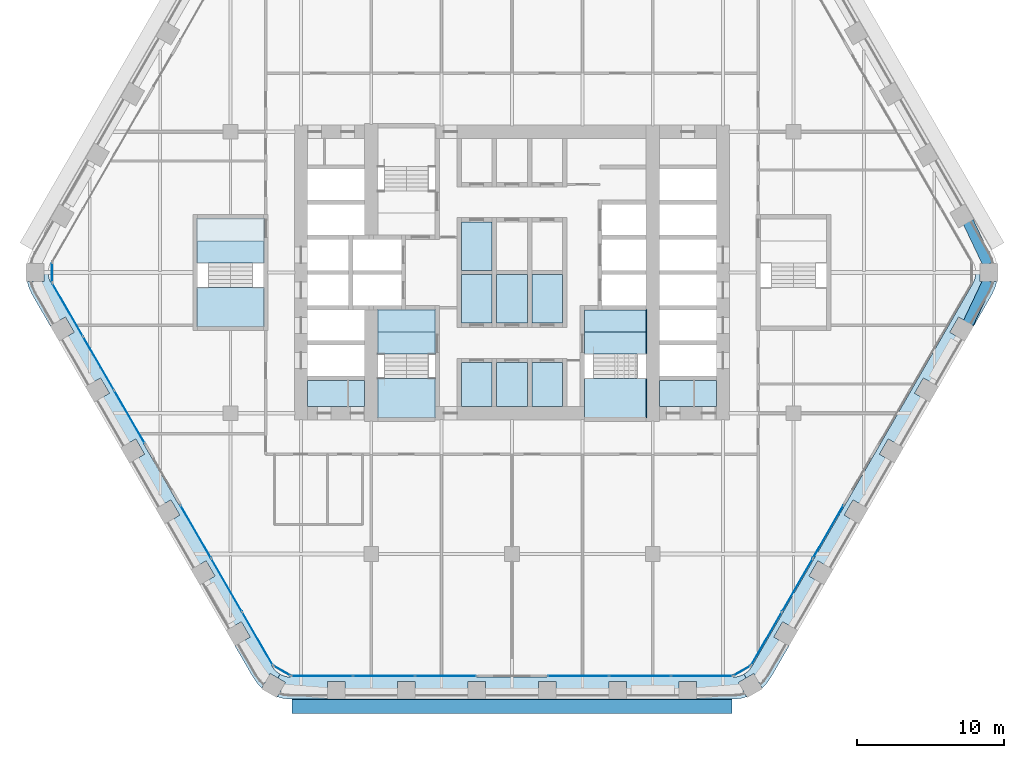
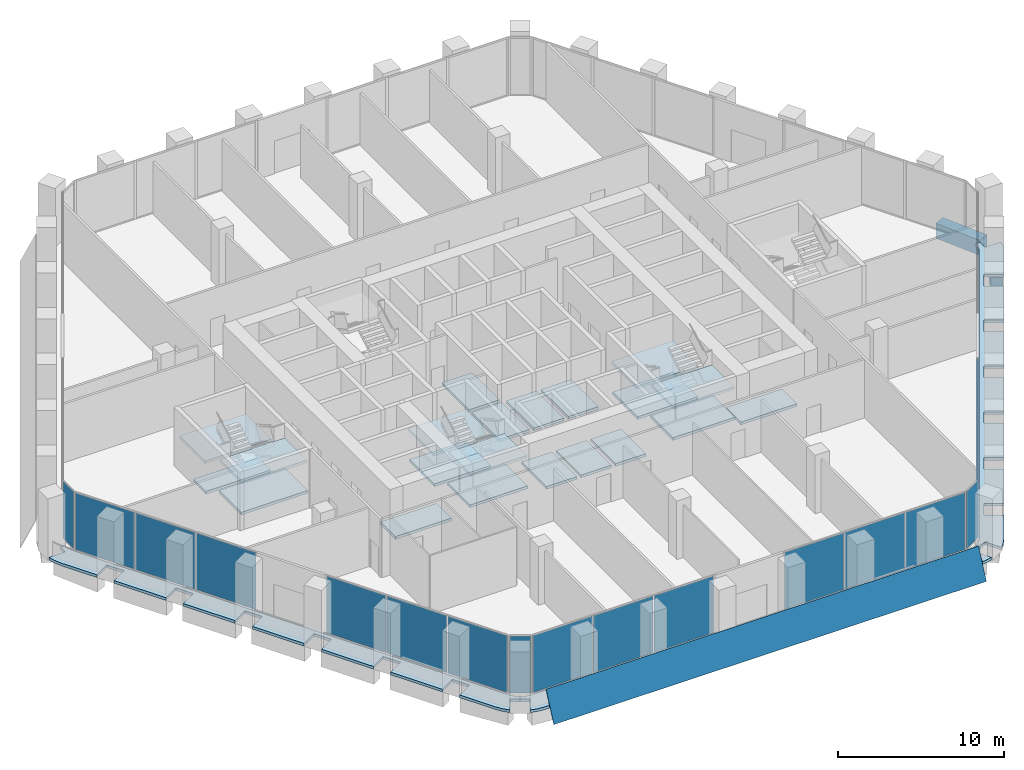
# One storey, part 10 of 22: 26 slabs, 19 plates, 2 beams, 11 elements without a shape of their own.
"""IFC4 building model written with IfcOpenShell, lengths in metres."""

from ifc_helpers import new_model, si_unit, direction, frame, origin, origin_2d, place, context, subcontext, project, spatial, polyline, rectangle, outline, extrude, material, layer, layer_set, material_profile, profile_set, type_object, element, aggregate, save


model = new_model("IFC4")

# Units and contexts
model_context = context("Model", 3, precision=1e-05, world=origin(), true_north=direction((0.0, 1.0)))
body_context = subcontext(model_context, "Body", "Model", "MODEL_VIEW")
ifc_project = project(units=[si_unit("LENGTHUNIT", "METRE"), si_unit("AREAUNIT", "SQUARE_METRE"), si_unit("VOLUMEUNIT", "CUBIC_METRE"), si_unit("PLANEANGLEUNIT", "RADIAN"), si_unit("MASSUNIT", "GRAM", prefix="KILO")], contexts=[model_context])

# Site, building, storey
site_placement = place(None, origin())
site = spatial("IfcSite", under=ifc_project, at=site_placement, CompositionType="ELEMENT")
building_placement = place(site_placement, origin())
building = spatial("IfcBuilding", under=site, at=building_placement, Name="Kolab Exchange Tower", CompositionType="ELEMENT")
storey_placement = place(building_placement, frame((0.0, 0.0, 113.89990234375)))
storey = spatial("IfcBuildingStorey", under=building, at=storey_placement, Name="L22", CompositionType="ELEMENT", Elevation=113.89990234375)

# Beams
ifc_material_1 = material(Name="Concrete C70/85", Category="concrete")
ifc_material_profile = material_profile(ifc_material_1, rectangle(XDim=0.75, YDim=1.10009765625, at=origin_2d()), Name="RC750X1100")
ifc_profile_set = profile_set([ifc_material_profile], Name="Concrete C70/85")
beam_type = type_object("IfcBeamType", Name="SPANDREL BEAM 750X1100 C70/85", PredefinedType="BEAM", material=ifc_profile_set)
for number, where, z_axis, x_axis, name in (
    (1, (31.116455078125, 3.4619140625, -0.75), (0.429041292193, -0.903284877319, 0.0), (0.903284877319, 0.429041292193, 0.0), "beam/L22/sp/F2-07"),
    (2, (32.492919921875, -0.56396484375, -0.75), (-0.429041292193, -0.903284877319, 0.0), (0.903284877319, -0.429041292193, 0.0), "beam/L22/sp/F3-01"),
):
    element("IfcBeam", number, at=place(storey_placement, frame(where, z_axis=z_axis, x_axis=x_axis)), inside=storey, type_object=beam_type, Name=name, PredefinedType="BEAM", context=body_context, shape_type="SweptSolid", body=[
        extrude(rectangle(XDim=0.75, YDim=1.10009765625, at=origin_2d()), origin(), (0.0, 0.0, 1.0), 3.208251953125),
    ])

# Slabs
ifc_material_2 = material(Name="Concrete C35/45", Category="concrete")
ifc_layer_1 = layer(ifc_material_2, 0.199951171875)
ifc_layer_set_1 = layer_set([ifc_layer_1], Name="Concrete C35/45")
slab_type_1 = type_object("IfcSlabType", Name="FLOOR SLAB 200", PredefinedType="FLOOR", material=ifc_layer_set_1)
slab_1_placement = place(storey_placement, frame((0.0, 0.0, -0.199951171875)))
element("IfcSlab", 3, at=slab_1_placement, inside=storey, type_object=slab_type_1, Name="slab/L22/floor/2", PredefinedType="FLOOR", context=body_context, shape_type="SweptSolid", body=[
    extrude(outline(polyline([(-10.050048828125, -9.14990234375), (-10.050048828125, -7.35009765625), (-13.949951171875, -7.35009765625), (-13.949951171875, -9.14990234375), (-10.050048828125, -9.14990234375)])), origin(), (0.0, 0.0, 1.0), 0.199951171875),
])
slab_2_placement = place(storey_placement, frame((0.0, 0.0, -0.199951171875)))
element("IfcSlab", 4, at=slab_2_placement, inside=storey, type_object=slab_type_1, Name="slab/L22/floor/4", PredefinedType="FLOOR", context=body_context, shape_type="SweptSolid", body=[
    extrude(outline(polyline([(10.050048828125, -9.14990234375), (13.949951171875, -9.14990234375), (13.949951171875, -7.35009765625), (10.050048828125, -7.35009765625), (10.050048828125, -9.14990234375)])), origin(), (0.0, 0.0, 1.0), 0.199951171875),
])
slab_3_placement = place(storey_placement, frame((0.0, 0.0, -0.199951171875)))
element("IfcSlab", 5, at=slab_3_placement, inside=storey, type_object=slab_type_1, Name="slab/L22/floor/6", PredefinedType="FLOOR", context=body_context, shape_type="SweptSolid", body=[
    extrude(outline(polyline([(-1.35009765625, -3.449951171875), (-1.35009765625, -0.14990234375), (-3.449951171875, -0.14990234375), (-3.449951171875, -3.449951171875), (-1.35009765625, -3.449951171875)])), origin(), (0.0, 0.0, 1.0), 0.199951171875),
])
slab_4_placement = place(storey_placement, frame((0.0, 0.0, -0.199951171875)))
element("IfcSlab", 6, at=slab_4_placement, inside=storey, type_object=slab_type_1, Name="slab/L22/floor/7", PredefinedType="FLOOR", context=body_context, shape_type="SweptSolid", body=[
    extrude(outline(polyline([(-1.35009765625, 0.14990234375), (-1.35009765625, 3.449951171875), (-3.449951171875, 3.449951171875), (-3.449951171875, 0.14990234375), (-1.35009765625, 0.14990234375)])), origin(), (0.0, 0.0, 1.0), 0.199951171875),
])
slab_5_placement = place(storey_placement, frame((0.0, 0.0, -0.199951171875)))
element("IfcSlab", 7, at=slab_5_placement, inside=storey, type_object=slab_type_1, Name="slab/L22/floor/8", PredefinedType="FLOOR", context=body_context, shape_type="SweptSolid", body=[
    extrude(outline(polyline([(-1.050048828125, -0.14990234375), (-1.050048828125, -3.449951171875), (1.050048828125, -3.449951171875), (1.050048828125, -0.14990234375), (-1.050048828125, -0.14990234375)])), origin(), (0.0, 0.0, 1.0), 0.199951171875),
])
slab_6_placement = place(storey_placement, frame((0.0, 0.0, -0.199951171875)))
element("IfcSlab", 8, at=slab_6_placement, inside=storey, type_object=slab_type_1, Name="slab/L22/floor/10", PredefinedType="FLOOR", context=body_context, shape_type="SweptSolid", body=[
    extrude(outline(polyline([(1.35009765625, -3.449951171875), (3.449951171875, -3.449951171875), (3.449951171875, -0.14990234375), (1.35009765625, -0.14990234375), (1.35009765625, -3.449951171875)])), origin(), (0.0, 0.0, 1.0), 0.199951171875),
])
slab_7_placement = place(storey_placement, frame((0.0, 0.0, -0.199951171875)))
element("IfcSlab", 9, at=slab_7_placement, inside=storey, type_object=slab_type_1, Name="slab/L22/floor/14", PredefinedType="FLOOR", context=body_context, shape_type="SweptSolid", body=[
    extrude(outline(polyline([(-1.35009765625, -6.14990234375), (-3.449951171875, -6.14990234375), (-3.449951171875, -9.14990234375), (-1.35009765625, -9.14990234375), (-1.35009765625, -6.14990234375)])), origin(), (0.0, 0.0, 1.0), 0.199951171875),
])
slab_8_placement = place(storey_placement, frame((0.0, 0.0, -0.199951171875)))
element("IfcSlab", 10, at=slab_8_placement, inside=storey, type_object=slab_type_1, Name="slab/L22/floor/16", PredefinedType="FLOOR", context=body_context, shape_type="SweptSolid", body=[
    extrude(outline(polyline([(1.050048828125, -6.14990234375), (-1.050048828125, -6.14990234375), (-1.050048828125, -9.14990234375), (1.050048828125, -9.14990234375), (1.050048828125, -6.14990234375)])), origin(), (0.0, 0.0, 1.0), 0.199951171875),
])
slab_9_placement = place(storey_placement, frame((0.0, 0.0, -0.199951171875)))
element("IfcSlab", 11, at=slab_9_placement, inside=storey, type_object=slab_type_1, Name="slab/L22/floor/18", PredefinedType="FLOOR", context=body_context, shape_type="SweptSolid", body=[
    extrude(outline(polyline([(1.35009765625, -6.14990234375), (1.35009765625, -9.14990234375), (3.449951171875, -9.14990234375), (3.449951171875, -6.14990234375), (1.35009765625, -6.14990234375)])), origin(), (0.0, 0.0, 1.0), 0.199951171875),
])
slab_10_placement = place(storey_placement, frame((0.0, 0.0, -0.199951171875)))
element("IfcSlab", 12, at=slab_10_placement, inside=storey, type_object=slab_type_1, Name="slab/L22/floor/20", PredefinedType="FLOOR", context=body_context, shape_type="SweptSolid", body=[
    extrude(outline(polyline([(4.949951171875, -4.050048828125), (9.14990234375, -4.050048828125), (9.14990234375, -2.550048828125), (6.14990234375, -2.550048828125), (5.85009765625, -2.550048828125), (4.949951171875, -2.550048828125), (4.949951171875, -4.050048828125)])), origin(), (0.0, 0.0, 1.0), 0.199951171875),
])
slab_11_placement = place(storey_placement, frame((0.0, 0.0, -0.199951171875)))
element("IfcSlab", 13, at=slab_11_placement, inside=storey, type_object=slab_type_1, Name="slab/L22/floor/21", PredefinedType="FLOOR", context=body_context, shape_type="SweptSolid", body=[
    extrude(outline(polyline([(-9.14990234375, -2.550048828125), (-9.14990234375, -4.050048828125), (-5.25, -4.050048828125), (-5.25, -2.550048828125), (-7.25, -2.550048828125), (-7.550048828125, -2.550048828125), (-9.14990234375, -2.550048828125)])), origin(), (0.0, 0.0, 1.0), 0.199951171875),
])
ifc_layer_2 = layer(ifc_material_2, 0.199951171875)
ifc_layer_set_2 = layer_set([ifc_layer_2], Name="Concrete C35/45")
slab_type_2 = type_object("IfcSlabType", Name="LOGGIA SLAB 200", PredefinedType="FLOOR", material=ifc_layer_set_2)
slab_12_placement = place(storey_placement, frame((0.0, 0.0, -0.199951171875)))
element("IfcSlab", 14, at=slab_12_placement, inside=storey, type_object=slab_type_2, Name="slab/L22/loggia/2-0", PredefinedType="FLOOR", context=body_context, shape_type="SweptSolid", body=[
    extrude(outline(polyline([(17.666015625, -27.598388671875), (18.89990234375, -25.461181640625), (17.86083984375, -24.861083984375), (18.460693359375, -23.822021484375), (19.5, -24.421875), (21.300048828125, -21.30419921875), (20.2607421875, -20.704345703125), (20.86083984375, -19.6650390625), (21.89990234375, -20.264892578125), (23.699951171875, -17.147216796875), (22.660888671875, -16.54736328125), (23.2607421875, -15.508056640625), (24.300048828125, -16.108154296875), (26.10009765625, -12.990478515625), (25.060791015625, -12.390380859375), (25.660888671875, -11.35107421875), (26.699951171875, -11.951171875), (28.5, -8.83349609375), (27.460693359375, -8.2333984375), (28.060791015625, -7.1943359375), (29.10009765625, -7.794189453125), (30.89990234375, -4.676513671875), (29.86083984375, -4.076416015625), (30.460693359375, -3.037353515625), (31.5, -3.63720703125), (32.73388671875, -1.5), (32.955078125, -1.026123046875), (33.069091796875, -0.60009765625), (31.935791015625, -0.60009765625), (31.935791015625, 0.0), (31.635986328125, 0.0), (31.613037109375, -0.260498046875), (31.54541015625, -0.512939453125), (31.434814453125, -0.75), (16.366943359375, -26.848388671875), (16.217041015625, -27.062744140625), (16.0322265625, -27.24755859375), (15.81787109375, -27.3974609375), (15.968017578125, -27.6572265625), (16.487548828125, -27.357177734375), (17.05419921875, -28.338623046875), (17.365966796875, -28.02685546875), (17.666015625, -27.598388671875)])), origin(), (0.0, 0.0, 1.0), 0.199951171875),
])
slab_13_placement = place(storey_placement, frame((0.0, 0.0, -0.199951171875)))
element("IfcSlab", 15, at=slab_13_placement, inside=storey, type_object=slab_type_2, Name="slab/L22/loggia/3-0", PredefinedType="FLOOR", context=body_context, shape_type="SweptSolid", body=[
    extrude(outline(polyline([(-15.81787109375, -27.3974609375), (-15.968017578125, -27.6572265625), (-15.4482421875, -27.957275390625), (-16.014892578125, -28.938720703125), (-15.5888671875, -29.052978515625), (-15.06787109375, -29.098388671875), (-12.60009765625, -29.098388671875), (-12.60009765625, -27.8984375), (-11.39990234375, -27.8984375), (-11.39990234375, -29.098388671875), (-7.800048828125, -29.098388671875), (-7.800048828125, -27.8984375), (-6.60009765625, -27.8984375), (-6.60009765625, -29.098388671875), (-3.0, -29.098388671875), (-3.0, -27.8984375), (-1.800048828125, -27.8984375), (-1.800048828125, -29.098388671875), (1.800048828125, -29.098388671875), (1.800048828125, -27.8984375), (3.0, -27.8984375), (3.0, -29.098388671875), (6.60009765625, -29.098388671875), (6.60009765625, -27.8984375), (7.800048828125, -27.8984375), (7.800048828125, -29.098388671875), (11.39990234375, -29.098388671875), (11.39990234375, -27.8984375), (12.60009765625, -27.8984375), (12.60009765625, -29.098388671875), (15.06787109375, -29.098388671875), (15.5888671875, -29.052978515625), (16.014892578125, -28.938720703125), (15.4482421875, -27.957275390625), (15.968017578125, -27.6572265625), (15.81787109375, -27.3974609375), (15.5810546875, -27.508056640625), (15.328369140625, -27.57568359375), (15.06787109375, -27.598388671875), (-15.06787109375, -27.598388671875), (-15.328369140625, -27.57568359375), (-15.5810546875, -27.508056640625), (-15.81787109375, -27.3974609375)])), origin(), (0.0, 0.0, 1.0), 0.199951171875),
])
slab_14_placement = place(storey_placement, frame((0.0, 0.0, -0.199951171875)))
element("IfcSlab", 16, at=slab_14_placement, inside=storey, type_object=slab_type_2, Name="slab/L22/loggia/4-0", PredefinedType="FLOOR", context=body_context, shape_type="SweptSolid", body=[
    extrude(outline(polyline([(-31.635986328125, 0.0), (-31.935791015625, 0.0), (-31.935791015625, -0.60009765625), (-33.069091796875, -0.60009765625), (-32.955078125, -1.026123046875), (-32.73388671875, -1.5), (-31.5, -3.63720703125), (-30.460693359375, -3.037353515625), (-29.86083984375, -4.076416015625), (-30.89990234375, -4.676513671875), (-29.10009765625, -7.794189453125), (-28.060791015625, -7.1943359375), (-27.460693359375, -8.2333984375), (-28.5, -8.83349609375), (-26.699951171875, -11.951171875), (-25.660888671875, -11.35107421875), (-25.060791015625, -12.390380859375), (-26.10009765625, -12.990478515625), (-24.300048828125, -16.108154296875), (-23.2607421875, -15.508056640625), (-22.660888671875, -16.54736328125), (-23.699951171875, -17.147216796875), (-21.89990234375, -20.264892578125), (-20.86083984375, -19.6650390625), (-20.2607421875, -20.704345703125), (-21.300048828125, -21.30419921875), (-19.5, -24.421875), (-18.460693359375, -23.822021484375), (-17.86083984375, -24.861083984375), (-18.89990234375, -25.461181640625), (-17.666015625, -27.598388671875), (-17.365966796875, -28.02685546875), (-17.05419921875, -28.338623046875), (-16.487548828125, -27.357177734375), (-15.968017578125, -27.6572265625), (-15.81787109375, -27.3974609375), (-16.0322265625, -27.24755859375), (-16.217041015625, -27.062744140625), (-16.366943359375, -26.848388671875), (-31.434814453125, -0.75), (-31.54541015625, -0.512939453125), (-31.613037109375, -0.260498046875), (-31.635986328125, 0.0)])), origin(), (0.0, 0.0, 1.0), 0.199951171875),
])

# Plate
ifc_material_3 = material(Name="Laminated glass, clear", Category="glass")
ifc_layer_3 = layer(ifc_material_3, 0.0400390625)
ifc_layer_set_3 = layer_set([ifc_layer_3], Name="Laminated glass, clear")
plate_type_1 = type_object("IfcPlateType", Name="OUTER SKIN LAMINATED GLASS SHEET 40", PredefinedType="SHEET", material=ifc_layer_set_3)
plate_1_placement = place(storey_placement, frame((15.01806640625, -30.078857421875, -0.73291015625), z_axis=(0.0, -0.906331045159, 0.422568380954), x_axis=(-1.0, 0.0, 0.0)))
element("IfcPlate", 17, at=plate_1_placement, inside=storey, type_object=plate_type_1, Name="Outer skin", PredefinedType="SHEET", context=body_context, shape_type="SweptSolid", body=[
    extrude(outline(polyline([(0.0, 0.0), (30.0361328125, 0.0), (30.0361328125, -2.2341751996320496), (0.0, -2.2341751996320496), (0.0, 0.0)])), origin(), (0.0, 0.0, -1.0), 0.0400390625),
])

# Stair, slabs
ifc_material_4 = material(Name="Concrete C50/60", Category="concrete")
stair_type_1 = type_object("IfcStairType", Name="STAIR ST3 RISER 160.7", PredefinedType="DOUBLE_RETURN_STAIR", material=ifc_material_4)
stair_1_placement = place(storey_placement, origin())
stair_1 = element("IfcStair", 18, at=stair_1_placement, inside=storey, type_object=stair_type_1, Name="Stair 3", PredefinedType="DOUBLE_RETURN_STAIR")
ifc_layer_4 = layer(ifc_material_4, 0.199951171875)
ifc_layer_set_4 = layer_set([ifc_layer_4], Name="Concrete C50/60")
slab_type_3 = type_object("IfcSlabType", Name="STAIR LANDING 200", PredefinedType="LANDING", material=ifc_layer_set_4)
slab_15_placement = place(storey_placement, frame((0.0, 0.0, -0.199951171875)))
slab_15 = element("IfcSlab", 19, at=slab_15_placement, type_object=slab_type_3, Name="ST3 landing 1", PredefinedType="LANDING", context=body_context, shape_type="SweptSolid", body=[
    extrude(outline(polyline([(-9.14990234375, -5.550048828125), (-5.25, -5.550048828125), (-5.25, -4.050048828125), (-9.14990234375, -4.050048828125), (-9.14990234375, -5.550048828125)])), origin(), (0.0, 0.0, 1.0), 0.199951171875),
])
slab_16_placement = place(storey_placement, frame((0.0, 0.0, 0.925048828125)))
slab_16 = element("IfcSlab", 20, at=slab_16_placement, type_object=slab_type_3, Name="ST3 landing 2", PredefinedType="LANDING", context=body_context, shape_type="SweptSolid", body=[
    extrude(outline(polyline([(-9.2099609375, -9.909912109375), (-5.18994140625, -9.909912109375), (-5.18994140625, -7.22998046875), (-9.2099609375, -7.22998046875), (-9.2099609375, -9.909912109375)])), origin(), (0.0, 0.0, 1.0), 0.199951171875),
])
slab_17_placement = place(storey_placement, frame((0.0, 0.0, 2.050048828125)))
slab_17 = element("IfcSlab", 21, at=slab_17_placement, type_object=slab_type_3, Name="ST3 landing 3", PredefinedType="LANDING", context=body_context, shape_type="SweptSolid", body=[
    extrude(outline(polyline([(-9.2099609375, -5.550048828125), (-5.18994140625, -5.550048828125), (-5.18994140625, -2.489990234375), (-9.2099609375, -2.489990234375), (-9.2099609375, -5.550048828125)])), origin(), (0.0, 0.0, 1.0), 0.199951171875),
])
slab_18_placement = place(storey_placement, frame((0.0, 0.0, 3.175048828125)))
slab_18 = element("IfcSlab", 22, at=slab_18_placement, type_object=slab_type_3, Name="ST3 landing 4", PredefinedType="LANDING", context=body_context, shape_type="SweptSolid", body=[
    extrude(outline(polyline([(-9.14990234375, -9.909912109375), (-5.25, -9.909912109375), (-5.25, -7.22998046875), (-9.14990234375, -7.22998046875), (-9.14990234375, -9.909912109375)])), origin(), (0.0, 0.0, 1.0), 0.199951171875),
])
aggregate(stair_1, [slab_15, slab_16, slab_17, slab_18])

stair_type_2 = type_object("IfcStairType", Name="STAIR ST2 RISER 160.7", PredefinedType="DOUBLE_RETURN_STAIR", material=ifc_material_4)
stair_2_placement = place(storey_placement, origin())
stair_2 = element("IfcStair", 23, at=stair_2_placement, inside=storey, type_object=stair_type_2, Name="Stair 2", PredefinedType="DOUBLE_RETURN_STAIR")
slab_19_placement = place(storey_placement, frame((0.0, 0.0, -0.199951171875)))
slab_19 = element("IfcSlab", 24, at=slab_19_placement, type_object=slab_type_3, Name="ST2 landing 1", PredefinedType="LANDING", context=body_context, shape_type="SweptSolid", body=[
    extrude(outline(polyline([(4.949951171875, -5.550048828125), (9.14990234375, -5.550048828125), (9.14990234375, -4.050048828125), (4.949951171875, -4.050048828125), (4.949951171875, -5.550048828125)])), origin(), (0.0, 0.0, 1.0), 0.199951171875),
])
slab_20_placement = place(storey_placement, frame((0.0, 0.0, 0.925048828125)))
slab_20 = element("IfcSlab", 25, at=slab_20_placement, type_object=slab_type_3, Name="ST2 landing 2", PredefinedType="LANDING", context=body_context, shape_type="SweptSolid", body=[
    extrude(outline(polyline([(4.889892578125, -9.909912109375), (9.2099609375, -9.909912109375), (9.2099609375, -7.22998046875), (4.889892578125, -7.22998046875), (4.889892578125, -9.909912109375)])), origin(), (0.0, 0.0, 1.0), 0.199951171875),
])
slab_21_placement = place(storey_placement, frame((0.0, 0.0, 2.050048828125)))
slab_21 = element("IfcSlab", 26, at=slab_21_placement, type_object=slab_type_3, Name="ST2 landing 3", PredefinedType="LANDING", context=body_context, shape_type="SweptSolid", body=[
    extrude(outline(polyline([(4.889892578125, -5.550048828125), (9.2099609375, -5.550048828125), (9.2099609375, -2.489990234375), (4.889892578125, -2.489990234375), (4.889892578125, -5.550048828125)])), origin(), (0.0, 0.0, 1.0), 0.199951171875),
])
slab_22_placement = place(storey_placement, frame((0.0, 0.0, 3.175048828125)))
slab_22 = element("IfcSlab", 27, at=slab_22_placement, type_object=slab_type_3, Name="ST2 landing 4", PredefinedType="LANDING", context=body_context, shape_type="SweptSolid", body=[
    extrude(outline(polyline([(4.949951171875, -9.909912109375), (9.14990234375, -9.909912109375), (9.14990234375, -7.22998046875), (4.949951171875, -7.22998046875), (4.949951171875, -9.909912109375)])), origin(), (0.0, 0.0, 1.0), 0.199951171875),
])
aggregate(stair_2, [slab_19, slab_20, slab_21, slab_22])

stair_type_3 = type_object("IfcStairType", Name="STAIR ST5 RISER 160.7", PredefinedType="DOUBLE_RETURN_STAIR", material=ifc_material_4)
stair_3_placement = place(storey_placement, origin())
stair_3 = element("IfcStair", 28, at=stair_3_placement, inside=storey, type_object=stair_type_3, Name="Stair 5", PredefinedType="DOUBLE_RETURN_STAIR")
slab_23_placement = place(storey_placement, frame((0.0, 0.0, -0.199951171875)))
slab_23 = element("IfcSlab", 29, at=slab_23_placement, type_object=slab_type_3, Name="ST5 landing 1", PredefinedType="LANDING", context=body_context, shape_type="SweptSolid", body=[
    extrude(outline(polyline([(-21.449951171875, 0.64990234375), (-16.949951171875, 0.64990234375), (-16.949951171875, 2.14990234375), (-21.449951171875, 2.14990234375), (-21.449951171875, 0.64990234375)])), origin(), (0.0, 0.0, 1.0), 0.199951171875),
])
slab_24_placement = place(storey_placement, frame((0.0, 0.0, 0.925048828125)))
slab_24 = element("IfcSlab", 30, at=slab_24_placement, type_object=slab_type_3, Name="ST5 landing 2", PredefinedType="LANDING", context=body_context, shape_type="SweptSolid", body=[
    extrude(outline(polyline([(-21.510009765625, -3.7099609375), (-16.889892578125, -3.7099609375), (-16.889892578125, -1.030029296875), (-21.510009765625, -1.030029296875), (-21.510009765625, -3.7099609375)])), origin(), (0.0, 0.0, 1.0), 0.199951171875),
])
slab_25_placement = place(storey_placement, frame((0.0, 0.0, 2.050048828125)))
slab_25 = element("IfcSlab", 31, at=slab_25_placement, type_object=slab_type_3, Name="ST5 landing 3", PredefinedType="LANDING", context=body_context, shape_type="SweptSolid", body=[
    extrude(outline(polyline([(-21.510009765625, 0.64990234375), (-16.889892578125, 0.64990234375), (-16.889892578125, 3.7099609375), (-21.510009765625, 3.7099609375), (-21.510009765625, 0.64990234375)])), origin(), (0.0, 0.0, 1.0), 0.199951171875),
])
slab_26_placement = place(storey_placement, frame((0.0, 0.0, 3.175048828125)))
slab_26 = element("IfcSlab", 32, at=slab_26_placement, type_object=slab_type_3, Name="ST5 landing 4", PredefinedType="LANDING", context=body_context, shape_type="SweptSolid", body=[
    extrude(outline(polyline([(-21.449951171875, -3.7099609375), (-16.949951171875, -3.7099609375), (-16.949951171875, -1.030029296875), (-21.449951171875, -1.030029296875), (-21.449951171875, -3.7099609375)])), origin(), (0.0, 0.0, 1.0), 0.199951171875),
])
aggregate(stair_3, [slab_23, slab_24, slab_25, slab_26])

# Curtain wall, plates
ifc_material_5 = material(Name="Aluminium EN AW-6063 T6", Category="aluminium")
curtain_wall_type = type_object("IfcCurtainWallType", Name="UNITISED LOWER MID ZONE CURTAIN WALL", PredefinedType="NOTDEFINED", material=ifc_material_5)
curtain_wall_1_placement = place(storey_placement, origin())
curtain_wall_1 = element("IfcCurtainWall", 33, at=curtain_wall_1_placement, inside=storey, type_object=curtain_wall_type, Name="cw/L22/F3-2", PredefinedType="NOTDEFINED")
ifc_material_6 = material(Name="Clear insulated glazing unit", Category="glass")
ifc_layer_5 = layer(ifc_material_6, 0.02587890625)
ifc_layer_set_5 = layer_set([ifc_layer_5], Name="Clear insulated glazing unit")
plate_type_2 = type_object("IfcPlateType", Name="UNITISED LOWER MID ZONE GLASS PANEL 26", PredefinedType="CURTAIN_PANEL", material=ifc_layer_set_5)
plate_2_placement = place(storey_placement, frame((21.568603515625, -17.67919921875, 0.06005859375), z_axis=(0.0, 0.0, 1.0), x_axis=(-0.500000017564, -0.866025393644, 0.0)))
plate_2 = element("IfcPlate", 34, at=plate_2_placement, type_object=plate_type_2, Name="CW2 panel 1.1", PredefinedType="CURTAIN_PANEL", context=body_context, shape_type="SweptSolid", body=[
    extrude(rectangle(XDim=4.132568359375, YDim=0.02587890625, at=origin_2d()), origin(), (0.0, 0.0, 1.0), 4.179931640625),
])
plate_3_placement = place(storey_placement, frame((19.464599609375, -21.322998046875, 0.06005859375), z_axis=(0.0, 0.0, 1.0), x_axis=(-0.500000017564, -0.866025393644, 0.0)))
plate_3 = element("IfcPlate", 35, at=plate_3_placement, type_object=plate_type_2, Name="CW2 panel 2.1", PredefinedType="CURTAIN_PANEL", context=body_context, shape_type="SweptSolid", body=[
    extrude(rectangle(XDim=4.16259765625, YDim=0.02587890625, at=origin_2d()), origin(), (0.0, 0.0, 1.0), 4.179931640625),
])
plate_4_placement = place(storey_placement, frame((17.36083984375, -24.967041015625, 0.06005859375), z_axis=(0.0, 0.0, 1.0), x_axis=(-0.500000017564, -0.866025393644, 0.0)))
plate_4 = element("IfcPlate", 36, at=plate_4_placement, type_object=plate_type_2, Name="CW2 panel 3.1", PredefinedType="CURTAIN_PANEL", context=body_context, shape_type="SweptSolid", body=[
    extrude(rectangle(XDim=4.132568359375, YDim=0.02587890625, at=origin_2d()), origin(), (0.0, 0.0, 1.0), 4.179931640625),
])
aggregate(curtain_wall_1, [plate_2, plate_3, plate_4])

curtain_wall_2_placement = place(storey_placement, origin())
curtain_wall_2 = element("IfcCurtainWall", 37, at=curtain_wall_2_placement, inside=storey, type_object=curtain_wall_type, Name="cw/L22/F4-1", PredefinedType="NOTDEFINED")
plate_5_placement = place(storey_placement, frame((12.941650390625, -27.5185546875, 0.06005859375), z_axis=(0.0, 0.0, 1.0), x_axis=(-1.0, 0.0, 0.0)))
plate_5 = element("IfcPlate", 38, at=plate_5_placement, type_object=plate_type_2, Name="CW2 panel 1.1", PredefinedType="CURTAIN_PANEL", context=body_context, shape_type="SweptSolid", body=[
    extrude(rectangle(XDim=4.132568359375, YDim=0.02587890625, at=origin_2d()), origin(), (0.0, 0.0, 1.0), 4.179931640625),
])
plate_6_placement = place(storey_placement, frame((8.73388671875, -27.5185546875, 0.06005859375), z_axis=(0.0, 0.0, 1.0), x_axis=(-1.0, 0.0, 0.0)))
plate_6 = element("IfcPlate", 39, at=plate_6_placement, type_object=plate_type_2, Name="CW2 panel 2.1", PredefinedType="CURTAIN_PANEL", context=body_context, shape_type="SweptSolid", body=[
    extrude(rectangle(XDim=4.16259765625, YDim=0.02587890625, at=origin_2d()), origin(), (0.0, 0.0, 1.0), 4.179931640625),
])
plate_7_placement = place(storey_placement, frame((4.5263671875, -27.5185546875, 0.06005859375), z_axis=(0.0, 0.0, 1.0), x_axis=(-1.0, 0.0, 0.0)))
plate_7 = element("IfcPlate", 40, at=plate_7_placement, type_object=plate_type_2, Name="CW2 panel 3.1", PredefinedType="CURTAIN_PANEL", context=body_context, shape_type="SweptSolid", body=[
    extrude(rectangle(XDim=4.132568359375, YDim=0.02587890625, at=origin_2d()), origin(), (0.0, 0.0, 1.0), 4.179931640625),
])
aggregate(curtain_wall_2, [plate_5, plate_6, plate_7])

curtain_wall_3_placement = place(storey_placement, origin())
curtain_wall_3 = element("IfcCurtainWall", 41, at=curtain_wall_3_placement, inside=storey, type_object=curtain_wall_type, Name="cw/L22/F4-2", PredefinedType="NOTDEFINED")
plate_8_placement = place(storey_placement, frame((-4.5263671875, -27.5185546875, 0.06005859375), z_axis=(0.0, 0.0, 1.0), x_axis=(-1.0, 0.0, 0.0)))
plate_8 = element("IfcPlate", 42, at=plate_8_placement, type_object=plate_type_2, Name="CW2 panel 1.1", PredefinedType="CURTAIN_PANEL", context=body_context, shape_type="SweptSolid", body=[
    extrude(rectangle(XDim=4.132568359375, YDim=0.02587890625, at=origin_2d()), origin(), (0.0, 0.0, 1.0), 4.179931640625),
])
plate_9_placement = place(storey_placement, frame((-8.73388671875, -27.5185546875, 0.06005859375), z_axis=(0.0, 0.0, 1.0), x_axis=(-1.0, 0.0, 0.0)))
plate_9 = element("IfcPlate", 43, at=plate_9_placement, type_object=plate_type_2, Name="CW2 panel 2.1", PredefinedType="CURTAIN_PANEL", context=body_context, shape_type="SweptSolid", body=[
    extrude(rectangle(XDim=4.16259765625, YDim=0.02587890625, at=origin_2d()), origin(), (0.0, 0.0, 1.0), 4.179931640625),
])
plate_10_placement = place(storey_placement, frame((-12.941650390625, -27.5185546875, 0.06005859375), z_axis=(0.0, 0.0, 1.0), x_axis=(-1.0, 0.0, 0.0)))
plate_10 = element("IfcPlate", 44, at=plate_10_placement, type_object=plate_type_2, Name="CW2 panel 3.1", PredefinedType="CURTAIN_PANEL", context=body_context, shape_type="SweptSolid", body=[
    extrude(rectangle(XDim=4.132568359375, YDim=0.02587890625, at=origin_2d()), origin(), (0.0, 0.0, 1.0), 4.179931640625),
])
aggregate(curtain_wall_3, [plate_8, plate_9, plate_10])

curtain_wall_4_placement = place(storey_placement, origin())
curtain_wall_4 = element("IfcCurtainWall", 45, at=curtain_wall_4_placement, inside=storey, type_object=curtain_wall_type, Name="cw/L22/F5-1", PredefinedType="NOTDEFINED")
plate_11_placement = place(storey_placement, frame((-17.36083984375, -24.967041015625, 0.06005859375), z_axis=(0.0, 0.0, 1.0), x_axis=(-0.500000017564, 0.866025393644, 0.0)))
plate_11 = element("IfcPlate", 46, at=plate_11_placement, type_object=plate_type_2, Name="CW2 panel 1.1", PredefinedType="CURTAIN_PANEL", context=body_context, shape_type="SweptSolid", body=[
    extrude(rectangle(XDim=4.132568359375, YDim=0.02587890625, at=origin_2d()), origin(), (0.0, 0.0, 1.0), 4.179931640625),
])
plate_12_placement = place(storey_placement, frame((-19.464599609375, -21.322998046875, 0.06005859375), z_axis=(0.0, 0.0, 1.0), x_axis=(-0.500000017564, 0.866025393644, 0.0)))
plate_12 = element("IfcPlate", 47, at=plate_12_placement, type_object=plate_type_2, Name="CW2 panel 2.1", PredefinedType="CURTAIN_PANEL", context=body_context, shape_type="SweptSolid", body=[
    extrude(rectangle(XDim=4.16259765625, YDim=0.02587890625, at=origin_2d()), origin(), (0.0, 0.0, 1.0), 4.179931640625),
])
plate_13_placement = place(storey_placement, frame((-21.568603515625, -17.67919921875, 0.06005859375), z_axis=(0.0, 0.0, 1.0), x_axis=(-0.500000017564, 0.866025393644, 0.0)))
plate_13 = element("IfcPlate", 48, at=plate_13_placement, type_object=plate_type_2, Name="CW2 panel 3.1", PredefinedType="CURTAIN_PANEL", context=body_context, shape_type="SweptSolid", body=[
    extrude(rectangle(XDim=4.132568359375, YDim=0.02587890625, at=origin_2d()), origin(), (0.0, 0.0, 1.0), 4.179931640625),
])
aggregate(curtain_wall_4, [plate_11, plate_12, plate_13])

curtain_wall_5_placement = place(storey_placement, origin())
curtain_wall_5 = element("IfcCurtainWall", 49, at=curtain_wall_5_placement, inside=storey, type_object=curtain_wall_type, Name="cw/L22/F5-2", PredefinedType="NOTDEFINED")
plate_14_placement = place(storey_placement, frame((-26.0947265625, -9.83935546875, 0.06005859375), z_axis=(0.0, 0.0, 1.0), x_axis=(-0.499999958358, 0.866025427826, 0.0)))
plate_14 = element("IfcPlate", 50, at=plate_14_placement, type_object=plate_type_2, Name="CW2 panel 1.1", PredefinedType="CURTAIN_PANEL", context=body_context, shape_type="SweptSolid", body=[
    extrude(rectangle(XDim=4.132568359375, YDim=0.02587890625, at=origin_2d()), origin(), (0.0, 0.0, 1.0), 4.179931640625),
])
plate_15_placement = place(storey_placement, frame((-28.19873046875, -6.1953125, 0.06005859375), z_axis=(0.0, 0.0, 1.0), x_axis=(-0.499999958358, 0.866025427826, 0.0)))
plate_15 = element("IfcPlate", 51, at=plate_15_placement, type_object=plate_type_2, Name="CW2 panel 2.1", PredefinedType="CURTAIN_PANEL", context=body_context, shape_type="SweptSolid", body=[
    extrude(rectangle(XDim=4.16259765625, YDim=0.02587890625, at=origin_2d()), origin(), (0.0, 0.0, 1.0), 4.179931640625),
])
plate_16_placement = place(storey_placement, frame((-30.302490234375, -2.551513671875, 0.06005859375), z_axis=(0.0, 0.0, 1.0), x_axis=(-0.499999958358, 0.866025427826, 0.0)))
plate_16 = element("IfcPlate", 52, at=plate_16_placement, type_object=plate_type_2, Name="CW2 panel 3.1", PredefinedType="CURTAIN_PANEL", context=body_context, shape_type="SweptSolid", body=[
    extrude(rectangle(XDim=4.132568359375, YDim=0.02587890625, at=origin_2d()), origin(), (0.0, 0.0, 1.0), 4.179931640625),
])
aggregate(curtain_wall_5, [plate_14, plate_15, plate_16])

# Curtain wall, plate
curtain_wall_6_placement = place(storey_placement, origin())
curtain_wall_6 = element("IfcCurtainWall", 53, at=curtain_wall_6_placement, inside=storey, type_object=curtain_wall_type, Name="cw/L22/F3F4-corner", PredefinedType="NOTDEFINED")
plate_17_placement = place(storey_placement, frame((15.682861328125, -27.16357421875, 0.06005859375), z_axis=(0.0, 0.0, 1.0), x_axis=(-0.866025390869, -0.50000002237, 0.0)))
plate_17 = element("IfcPlate", 54, at=plate_17_placement, type_object=plate_type_2, Name="CW2 panel 1.1", PredefinedType="CURTAIN_PANEL", context=body_context, shape_type="SweptSolid", body=[
    extrude(rectangle(XDim=1.300048828125, YDim=0.02587890625, at=origin_2d()), origin(), (0.0, 0.0, 1.0), 4.179931640625),
])
aggregate(curtain_wall_6, [plate_17])

curtain_wall_7_placement = place(storey_placement, origin())
curtain_wall_7 = element("IfcCurtainWall", 55, at=curtain_wall_7_placement, inside=storey, type_object=curtain_wall_type, Name="cw/L22/F4F5-corner", PredefinedType="NOTDEFINED")
plate_18_placement = place(storey_placement, frame((-15.682861328125, -27.16357421875, 0.06005859375), z_axis=(0.0, 0.0, 1.0), x_axis=(-0.866025390869, 0.50000002237, 0.0)))
plate_18 = element("IfcPlate", 56, at=plate_18_placement, type_object=plate_type_2, Name="CW2 panel 1.1", PredefinedType="CURTAIN_PANEL", context=body_context, shape_type="SweptSolid", body=[
    extrude(rectangle(XDim=1.300048828125, YDim=0.02587890625, at=origin_2d()), origin(), (0.0, 0.0, 1.0), 4.179931640625),
])
aggregate(curtain_wall_7, [plate_18])

curtain_wall_8_placement = place(storey_placement, origin())
curtain_wall_8 = element("IfcCurtainWall", 57, at=curtain_wall_8_placement, inside=storey, type_object=curtain_wall_type, Name="cw/L22/F5F6-corner", PredefinedType="NOTDEFINED")
plate_19_placement = place(storey_placement, frame((-31.36572265625, 0.0, 0.06005859375), z_axis=(0.0, 0.0, 1.0), x_axis=(0.0, 1.0, 0.0)))
plate_19 = element("IfcPlate", 58, at=plate_19_placement, type_object=plate_type_2, Name="CW2 panel 1.1", PredefinedType="CURTAIN_PANEL", context=body_context, shape_type="SweptSolid", body=[
    extrude(rectangle(XDim=1.300048828125, YDim=0.02587890625, at=origin_2d()), origin(), (0.0, 0.0, 1.0), 4.179931640625),
])
aggregate(curtain_wall_8, [plate_19])

save(model, "model.ifc")
